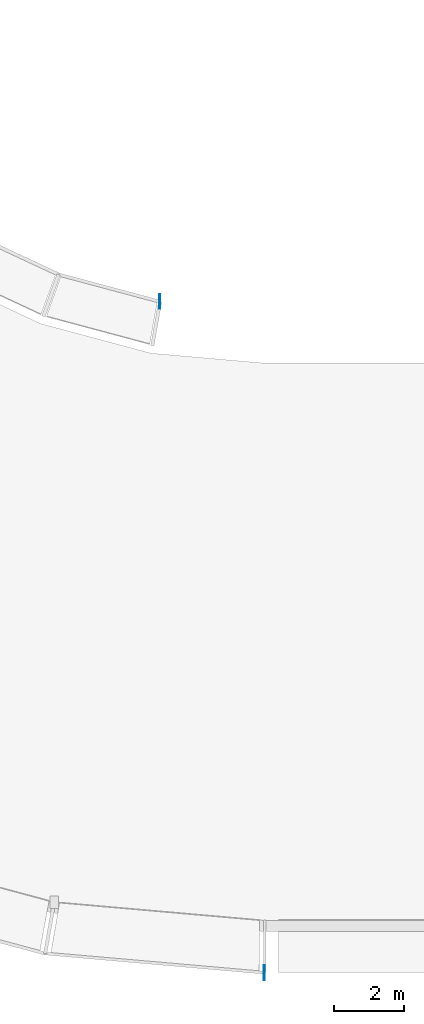
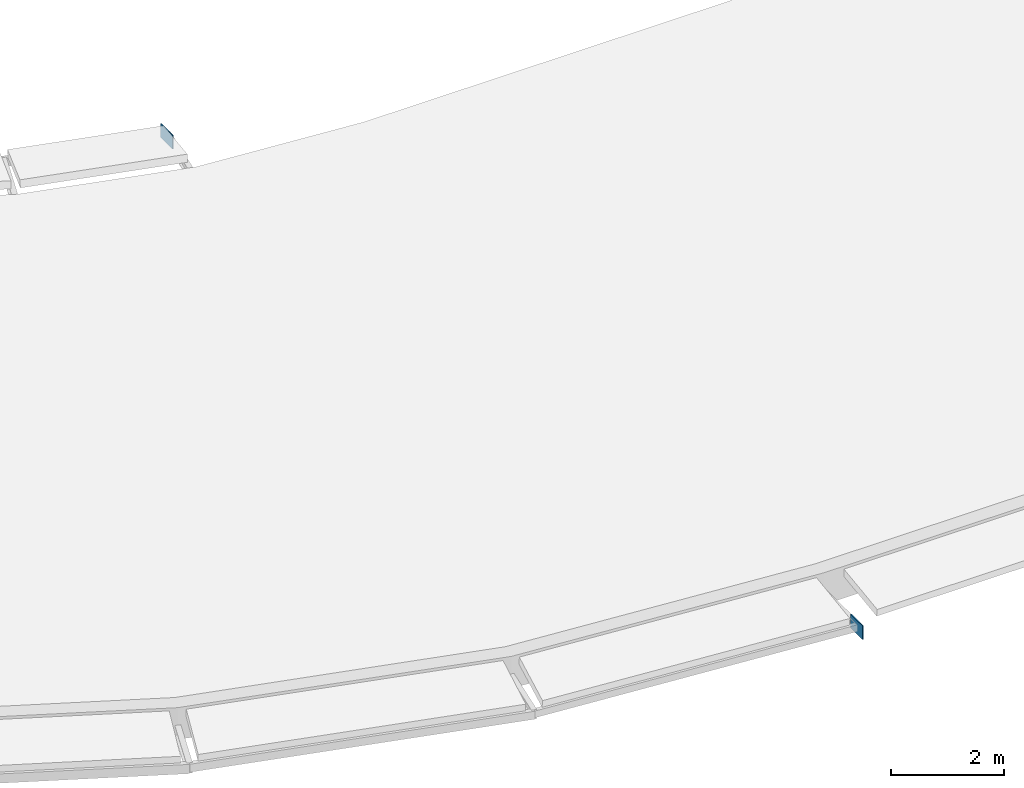
# One storey, part 13 of 41: 2 plates.
"""IFC4 building model written with IfcOpenShell, lengths in metres."""

from ifc_helpers import new_model, si_unit, direction, frame, origin, origin_2d, place, context, subcontext, project, spatial, rectangle, extrude, material, layer, layer_set, type_object, element, save


model = new_model("IFC4")

# Units and contexts
model_context = context("Model", 3, precision=1e-05, world=origin(), true_north=direction((0.0, 1.0)))
body_context = subcontext(model_context, "Body", "Model", "MODEL_VIEW")
ifc_project = project(units=[si_unit("LENGTHUNIT", "METRE"), si_unit("AREAUNIT", "SQUARE_METRE"), si_unit("VOLUMEUNIT", "CUBIC_METRE"), si_unit("PLANEANGLEUNIT", "RADIAN"), si_unit("MASSUNIT", "GRAM", prefix="KILO")], contexts=[model_context])

# Site, building, storey
site_placement = place(None, origin())
site = spatial("IfcSite", under=ifc_project, at=site_placement, CompositionType="ELEMENT")
building_placement = place(site_placement, origin())
building = spatial("IfcBuilding", under=site, at=building_placement, Name="Kiranvali Square Residences", CompositionType="ELEMENT")
storey_placement = place(building_placement, frame((0.0, 0.0, 33.89990234375)))
storey = spatial("IfcBuildingStorey", under=building, at=storey_placement, Name="L10", CompositionType="ELEMENT", Elevation=33.89990234375)

# Plates
ifc_material = material(Name="Structural steel E350", Category="steel")
ifc_layer = layer(ifc_material, 0.02001953125)
ifc_layer_set = layer_set([ifc_layer], Name="Structural steel E350")
plate_type = type_object("IfcPlateType", Name="PLT-ENDCAP-20", PredefinedType="SHEET", material=ifc_layer_set)
for number, where, z_axis, x_axis, name in (
    (1, (48.18798828125, 11.901123046875, -0.46240234375), (0.0, 0.0, 1.0), (1.0, 0.0, 0.0), "Block C eave fascia purlin end-cap S"),
    (2, (45.184326171875, 31.166015625, -0.47607421875), (0.0, 0.0, 1.0), (1.0, 0.0, 0.0), "Block C inner eave purlin end-cap S"),
):
    element("IfcPlate", number, at=place(storey_placement, frame(where, z_axis=z_axis, x_axis=x_axis)), inside=storey, type_object=plate_type, Name=name, PredefinedType="SHEET", context=body_context, shape_type="SweptSolid", body=[
        extrude(rectangle(XDim=0.02001953125, YDim=0.419921875, at=origin_2d()), origin(), (0.0, 0.0, 1.0), 0.300048828125),
    ])

save(model, "model.ifc")
